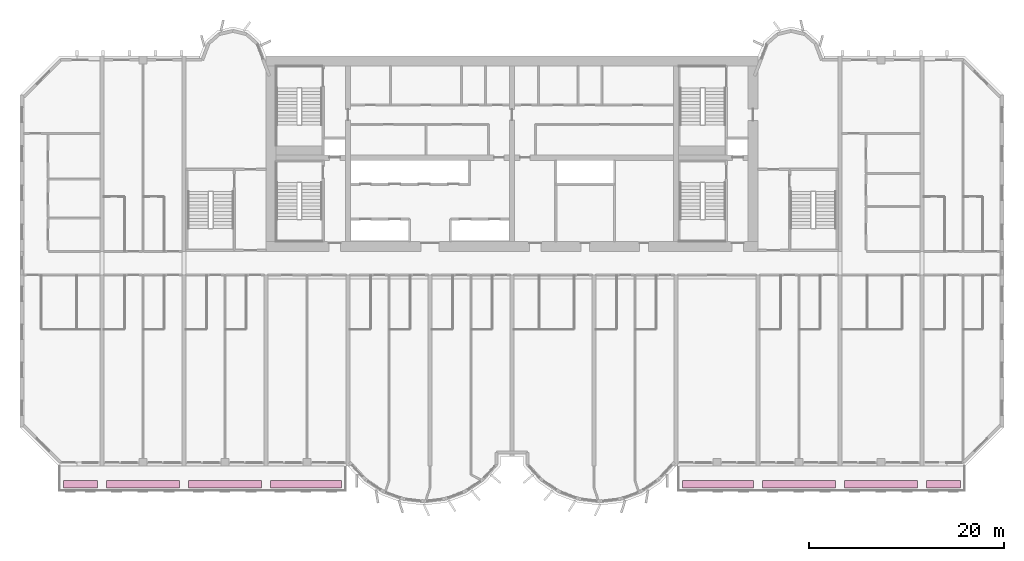
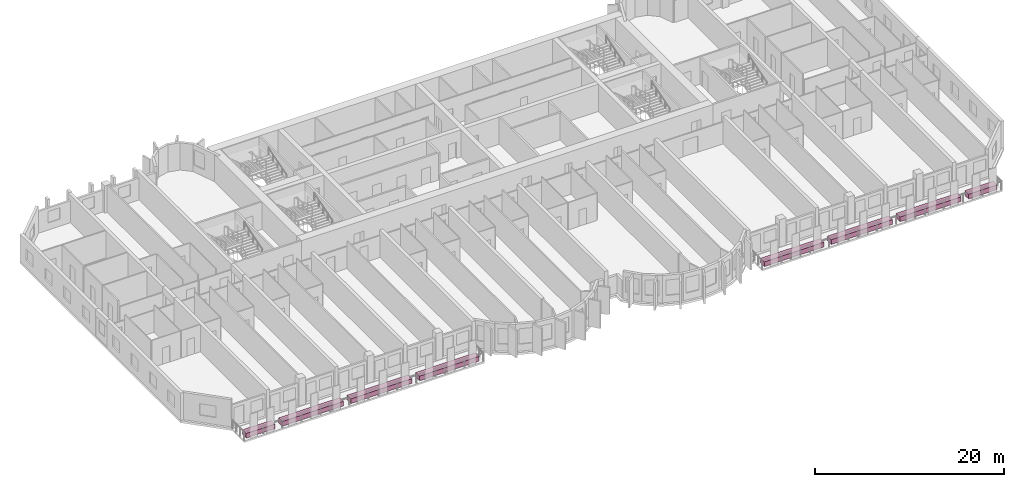
# One storey, part 15 of 15: 8 furniture elements.
"""IFC4 building model written with IfcOpenShell, lengths in metres."""

from ifc_helpers import new_model, si_unit, direction, frame, origin, origin_2d, place, context, subcontext, project, spatial, rectangle, extrude, source, transform, mapped, material, type_object, element, save


model = new_model("IFC4")

# Units and contexts
model_context = context("Model", 3, precision=1e-05, world=origin(), true_north=direction((0.0, 1.0)))
body_context = subcontext(model_context, "Body", "Model", "MODEL_VIEW")
ifc_project = project(units=[si_unit("LENGTHUNIT", "METRE"), si_unit("AREAUNIT", "SQUARE_METRE"), si_unit("VOLUMEUNIT", "CUBIC_METRE"), si_unit("PLANEANGLEUNIT", "RADIAN"), si_unit("MASSUNIT", "GRAM", prefix="KILO")], contexts=[model_context])

# Site, building, storey
site_placement = place(None, origin())
site = spatial("IfcSite", under=ifc_project, at=site_placement, CompositionType="ELEMENT")
building_placement = place(site_placement, origin())
building = spatial("IfcBuilding", under=site, at=building_placement, Name="Vanashikhar Sky Hotel", CompositionType="ELEMENT")
storey_placement = place(building_placement, frame((0.0, 0.0, 77.199951171875)))
storey = spatial("IfcBuildingStorey", under=building, at=storey_placement, Name="L18", CompositionType="ELEMENT", Elevation=77.199951171875)

# Furniture
ifc_material = material(Name="Planting soil and shrubs")
furniture_type = type_object("IfcFurnitureType", Name="Planter trough", AssemblyPlace="NOTDEFINED", PredefinedType="USERDEFINED", material=ifc_material)
shared_shape_1 = source(origin(), body_context, "Body", "SweptSolid", [
    extrude(rectangle(XDim=3.5, YDim=0.800048828125, at=origin_2d()), origin(), (0.0, 0.0, 1.0), 0.60009765625),
])
for number, where, z_axis, x_axis, name in (
    (1, (6.199951171875, -1.85009765625, -0.050048828125), (0.0, 0.0, 1.0), (1.0, 0.0, 0.0), "PLANTER with climbers"),
    (2, (94.60009765625, -1.85009765625, -0.050048828125), (0.0, 0.0, 1.0), (1.0, 0.0, 0.0), "PLANTER with climbers"),
):
    element("IfcFurniture", number, at=place(storey_placement, frame(where, z_axis=z_axis, x_axis=x_axis)), inside=storey, type_object=furniture_type, Name=name, ObjectType="PLANTER", PredefinedType="USERDEFINED", context=body_context, shape_type="MappedRepresentation", body=[
        mapped(shared_shape_1, transform((0.0, 0.0, 0.0), scale=1.0)),
    ])
shared_shape_2 = source(origin(), body_context, "Body", "SweptSolid", [
    extrude(rectangle(XDim=7.5, YDim=0.800048828125, at=origin_2d()), origin(), (0.0, 0.0, 1.0), 0.60009765625),
])
for number, where, z_axis, x_axis, name in (
    (3, (12.60009765625, -1.85009765625, -0.050048828125), (0.0, 0.0, 1.0), (1.0, 0.0, 0.0), "PLANTER with climbers"),
    (4, (21.0, -1.85009765625, -0.050048828125), (0.0, 0.0, 1.0), (1.0, 0.0, 0.0), "PLANTER with climbers"),
    (5, (79.800048828125, -1.85009765625, -0.050048828125), (0.0, 0.0, 1.0), (1.0, 0.0, 0.0), "PLANTER with climbers"),
    (6, (88.199951171875, -1.85009765625, -0.050048828125), (0.0, 0.0, 1.0), (1.0, 0.0, 0.0), "PLANTER with climbers"),
):
    element("IfcFurniture", number, at=place(storey_placement, frame(where, z_axis=z_axis, x_axis=x_axis)), inside=storey, type_object=furniture_type, Name=name, ObjectType="PLANTER", PredefinedType="USERDEFINED", context=body_context, shape_type="MappedRepresentation", body=[
        mapped(shared_shape_2, transform((0.0, 0.0, 0.0), scale=1.0)),
    ])
shared_shape_3 = source(origin(), body_context, "Body", "SweptSolid", [
    extrude(rectangle(XDim=7.300048828125, YDim=0.800048828125, at=origin_2d()), origin(), (0.0, 0.0, 1.0), 0.60009765625),
])
for number, where, z_axis, x_axis, name in (
    (7, (29.300048828125, -1.85009765625, -0.050048828125), (0.0, 0.0, 1.0), (1.0, 0.0, 0.0), "PLANTER with climbers"),
    (8, (71.5, -1.85009765625, -0.050048828125), (0.0, 0.0, 1.0), (1.0, 0.0, 0.0), "PLANTER with climbers"),
):
    element("IfcFurniture", number, at=place(storey_placement, frame(where, z_axis=z_axis, x_axis=x_axis)), inside=storey, type_object=furniture_type, Name=name, ObjectType="PLANTER", PredefinedType="USERDEFINED", context=body_context, shape_type="MappedRepresentation", body=[
        mapped(shared_shape_3, transform((0.0, 0.0, 0.0), scale=1.0)),
    ])

save(model, "model.ifc")
